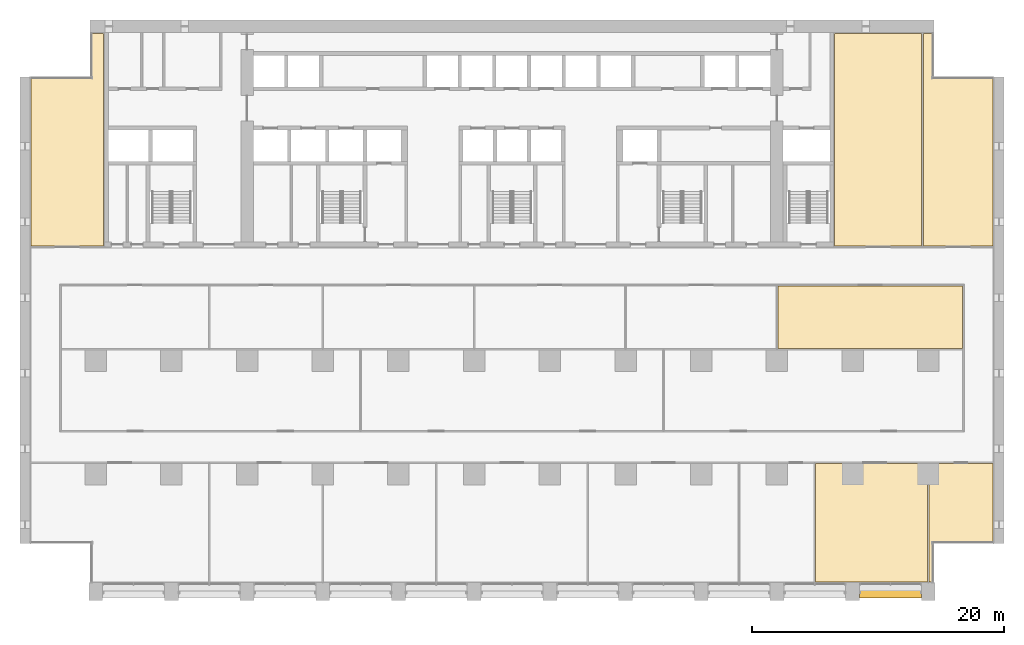
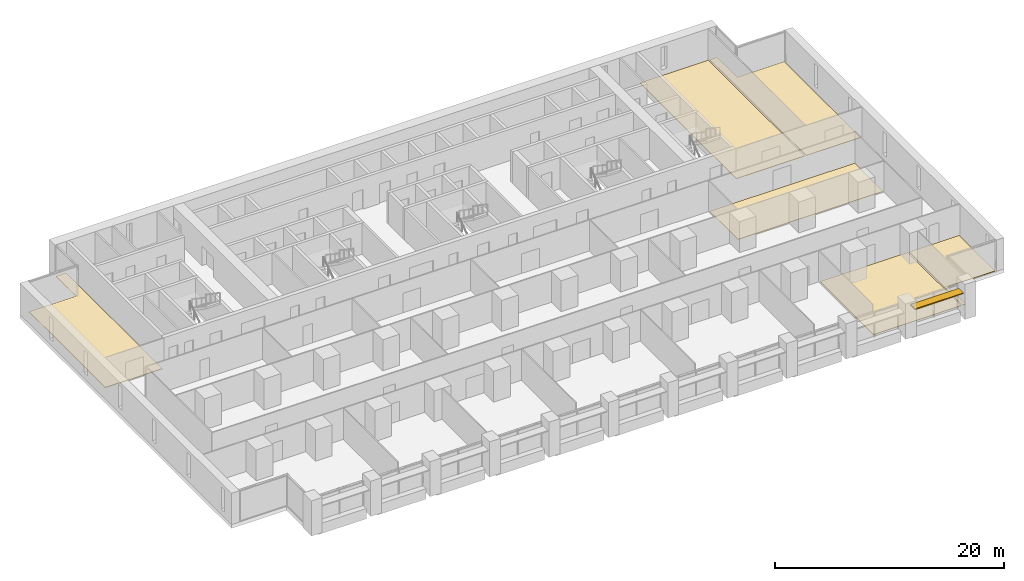
# One storey, part 18 of 18: 6 coverings, 1 shading device.
"""IFC4 building model written with IfcOpenShell, lengths in metres."""

from ifc_helpers import new_model, si_unit, direction, frame, origin, origin_2d, place, context, subcontext, project, spatial, polyline, rectangle, outline, extrude, material, layer, layer_set, material_profile, profile_set, type_object, element, save


model = new_model("IFC4")

# Units and contexts
model_context = context("Model", 3, precision=1e-05, world=origin(), true_north=direction((0.0, 1.0)))
body_context = subcontext(model_context, "Body", "Model", "MODEL_VIEW")
ifc_project = project(units=[si_unit("LENGTHUNIT", "METRE"), si_unit("AREAUNIT", "SQUARE_METRE"), si_unit("VOLUMEUNIT", "CUBIC_METRE"), si_unit("PLANEANGLEUNIT", "RADIAN"), si_unit("MASSUNIT", "GRAM", prefix="KILO")], contexts=[model_context])

# Site, building, storey
site_placement = place(None, origin())
site = spatial("IfcSite", under=ifc_project, at=site_placement, CompositionType="ELEMENT")
building_placement = place(site_placement, origin())
building = spatial("IfcBuilding", under=site, at=building_placement, Name="Calvaro Tower", CompositionType="ELEMENT")
storey_placement = place(building_placement, frame((0.0, 0.0, 48.75)))
storey = spatial("IfcBuildingStorey", under=building, at=storey_placement, Name="L11", CompositionType="ELEMENT", Elevation=48.75)

# Shading device
ifc_material_1 = material(Name="Anodised aluminium", Category="aluminium")
ifc_material_profile = material_profile(ifc_material_1, rectangle(XDim=0.800048828125, YDim=0.10009765625, at=origin_2d()), Name="Brise-soleil blade 800 x 100")
ifc_profile_set = profile_set([ifc_material_profile], Name="Anodised aluminium")
shading_device_type = type_object("IfcShadingDeviceType", Name="Brise-soleil blade 800 x 100", PredefinedType="JALOUSIE", material=ifc_profile_set)
shading_device_placement = place(storey_placement, frame((66.550048828125, 0.60009765625, 2.300048828125), z_axis=(1.0, 0.0, 0.0), x_axis=(0.0, 1.0, 0.0)))
element("IfcShadingDevice", 1, at=shading_device_placement, inside=storey, type_object=shading_device_type, Name="Brise-soleil blade 11", PredefinedType="JALOUSIE", context=body_context, shape_type="SweptSolid", body=[
    extrude(rectangle(XDim=0.800048828125, YDim=0.10009765625, at=origin_2d()), origin(), (0.0, 0.0, 1.0), 4.89990234375),
])

# Coverings
ifc_material_2 = material(Name="Cement screed with carpet tile finish")
ifc_layer = layer(ifc_material_2, 0.050048828125)
ifc_layer_set = layer_set([ifc_layer], Name="Cement screed with carpet tile finish")
covering_type = type_object("IfcCoveringType", Name="Floor finish 50", PredefinedType="FLOORING", material=ifc_layer_set)
covering_1_placement = place(storey_placement, origin())
element("IfcCovering", 2, at=covering_1_placement, inside=storey, type_object=covering_type, Name="Floor finish 10.04", PredefinedType="FLOORING", context=body_context, shape_type="SweptSolid", body=[
    extrude(outline(polyline([(63.070068359375, 10.830078125), (71.929931640625, 10.830078125), (71.929931640625, 1.469970703125), (63.070068359375, 1.469970703125), (63.070068359375, 10.830078125)])), origin(), (0.0, 0.0, 1.0), 0.050048828125),
])
covering_2_placement = place(storey_placement, origin())
element("IfcCovering", 3, at=covering_2_placement, inside=storey, type_object=covering_type, Name="Floor finish 10.09", PredefinedType="FLOORING", context=body_context, shape_type="SweptSolid", body=[
    extrude(outline(polyline([(77.1298828125, 4.570068359375), (72.3798828125, 4.570068359375), (72.3798828125, 1.469970703125), (72.070068359375, 1.469970703125), (72.070068359375, 10.830078125), (77.1298828125, 10.830078125), (77.1298828125, 4.570068359375)])), origin(), (0.0, 0.0, 1.0), 0.050048828125),
])
covering_3_placement = place(storey_placement, origin())
element("IfcCovering", 4, at=covering_3_placement, inside=storey, type_object=covering_type, Name="Floor finish 10.15", PredefinedType="FLOORING", context=body_context, shape_type="SweptSolid", body=[
    extrude(outline(polyline([(60.070068359375, 19.969970703125), (60.070068359375, 24.929931640625), (74.72998046875, 24.929931640625), (74.72998046875, 19.969970703125), (60.070068359375, 19.969970703125)])), origin(), (0.0, 0.0, 1.0), 0.050048828125),
])
covering_4_placement = place(storey_placement, origin())
element("IfcCovering", 5, at=covering_4_placement, inside=storey, type_object=covering_type, Name="Floor finish 10.20", PredefinedType="FLOORING", context=body_context, shape_type="SweptSolid", body=[
    extrude(outline(polyline([(6.6298828125, 28.070068359375), (0.8701171875, 28.070068359375), (0.8701171875, 41.429931640625), (5.6201171875, 41.429931640625), (5.6201171875, 44.929931640625), (6.6298828125, 44.929931640625), (6.6298828125, 28.070068359375)])), origin(), (0.0, 0.0, 1.0), 0.050048828125),
])
covering_5_placement = place(storey_placement, origin())
element("IfcCovering", 6, at=covering_5_placement, inside=storey, type_object=covering_type, Name="Floor finish 10.21", PredefinedType="FLOORING", context=body_context, shape_type="SweptSolid", body=[
    extrude(outline(polyline([(71.47998046875, 28.070068359375), (64.570068359375, 28.070068359375), (64.570068359375, 44.929931640625), (71.47998046875, 44.929931640625), (71.47998046875, 28.070068359375)])), origin(), (0.0, 0.0, 1.0), 0.050048828125),
])
covering_6_placement = place(storey_placement, origin())
element("IfcCovering", 7, at=covering_6_placement, inside=storey, type_object=covering_type, Name="Floor finish 10.19", PredefinedType="FLOORING", context=body_context, shape_type="SweptSolid", body=[
    extrude(outline(polyline([(77.1298828125, 28.070068359375), (71.6201171875, 28.070068359375), (71.6201171875, 44.929931640625), (72.3798828125, 44.929931640625), (72.3798828125, 41.429931640625), (77.1298828125, 41.429931640625), (77.1298828125, 28.070068359375)])), origin(), (0.0, 0.0, 1.0), 0.050048828125),
])

save(model, "model.ifc")
